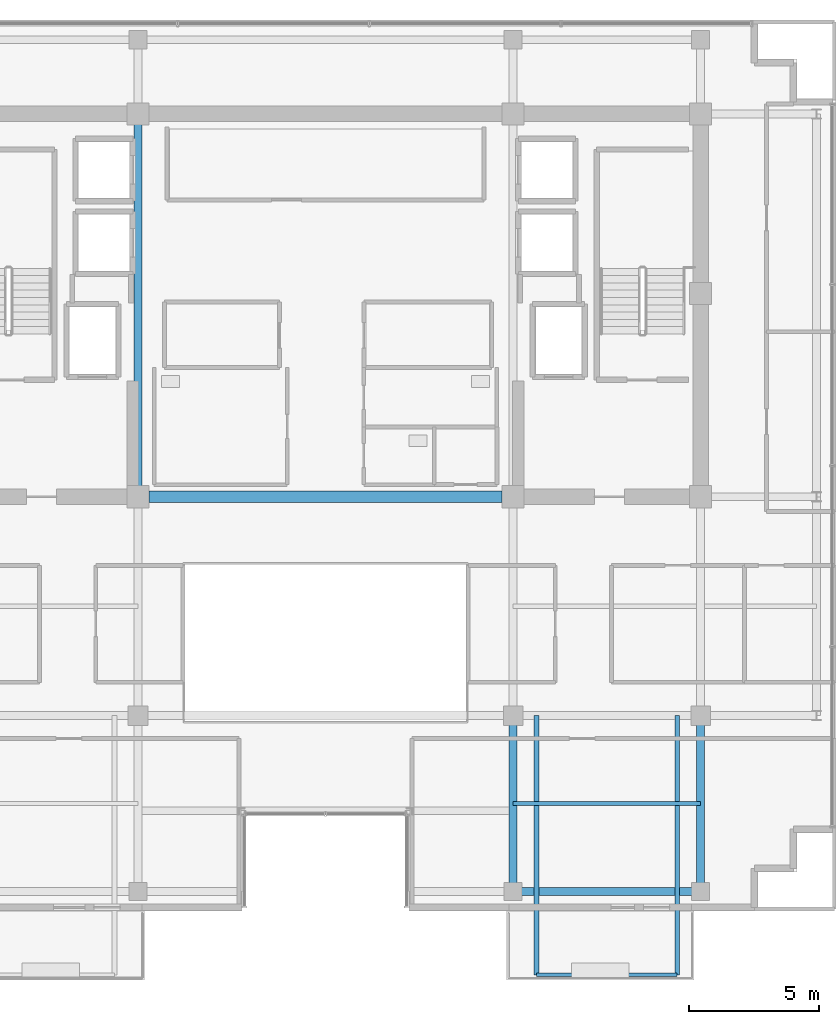
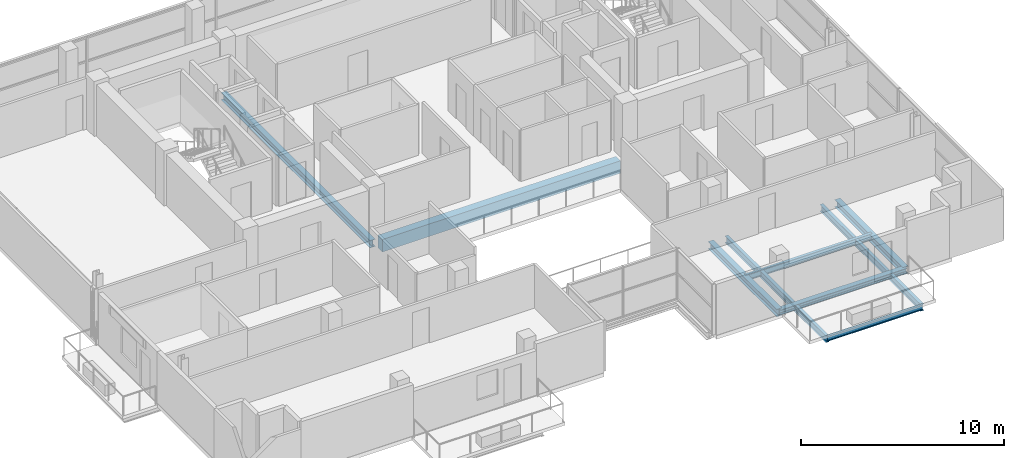
# One storey, part 7 of 22: 9 beams.
"""IFC4 building model written with IfcOpenShell, lengths in metres."""

from ifc_helpers import new_model, si_unit, direction, frame, origin, origin_2d, place, context, subcontext, project, spatial, rectangle, i_section, extrude, material, material_profile, profile_set, type_object, element, save


model = new_model("IFC4")

# Units and contexts
model_context = context("Model", 3, precision=1e-05, world=origin(), true_north=direction((0.0, 1.0)))
body_context = subcontext(model_context, "Body", "Model", "MODEL_VIEW")
ifc_project = project(units=[si_unit("LENGTHUNIT", "METRE"), si_unit("AREAUNIT", "SQUARE_METRE"), si_unit("VOLUMEUNIT", "CUBIC_METRE"), si_unit("PLANEANGLEUNIT", "RADIAN"), si_unit("MASSUNIT", "GRAM", prefix="KILO")], contexts=[model_context])

# Site, building, storey
site_placement = place(None, origin())
site = spatial("IfcSite", under=ifc_project, at=site_placement, CompositionType="ELEMENT")
building_placement = place(site_placement, origin())
building = spatial("IfcBuilding", under=site, at=building_placement, Name="Zarnakvel Exchange Tower", CompositionType="ELEMENT")
storey_placement = place(building_placement, frame((0.0, 0.0, 215.5)))
storey = spatial("IfcBuildingStorey", under=building, at=storey_placement, Name="L60", CompositionType="ELEMENT", Elevation=215.5)

# Beams
ifc_material_1 = material(Name="Steel S355", Category="steel")
ifc_material_profile_1 = material_profile(ifc_material_1, i_section(OverallWidth=0.179931640625, OverallDepth=0.39990234375, WebThickness=0.008544921875, FlangeThickness=0.013427734375, FilletRadius=0.02099609375, at=origin_2d()))
ifc_profile_set_1 = profile_set([ifc_material_profile_1], Name="Steel S355")
beam_type_1 = type_object("IfcBeamType", Name="B-06", PredefinedType="JOIST", material=ifc_profile_set_1)
for number, where, z_axis, x_axis, name in (
    (1, (8.10009765625, -9.60009765625, -0.425048828125), (0.0, -1.0, 0.0), (1.0, 0.0, 0.0), "L60 Continuous Back-Spanned Balcony Beam W"),
    (2, (13.5, -9.60009765625, -0.425048828125), (0.0, -1.0, 0.0), (1.0, 0.0, 0.0), "L60 Continuous Back-Spanned Balcony Beam E"),
):
    element("IfcBeam", number, at=place(storey_placement, frame(where, z_axis=z_axis, x_axis=x_axis)), inside=storey, type_object=beam_type_1, Name=name, PredefinedType="JOIST", context=body_context, shape_type="SweptSolid", body=[
        extrude(i_section(OverallWidth=0.179931640625, OverallDepth=0.39990234375, WebThickness=0.008544921875, FlangeThickness=0.013427734375, FilletRadius=0.02099609375, at=origin_2d()), origin(), (0.0, 0.0, 1.0), 9.949951171875),
    ])
ifc_material_profile_2 = material_profile(ifc_material_1, i_section(OverallWidth=0.169921875, OverallDepth=0.360107421875, WebThickness=0.008056640625, FlangeThickness=0.0126953125, FilletRadius=0.01806640625, at=origin_2d()))
ifc_profile_set_2 = profile_set([ifc_material_profile_2], Name="Steel S355")
beam_type_2 = type_object("IfcBeamType", Name="B-07", PredefinedType="JOIST", material=ifc_profile_set_2)
beam_1_placement = place(storey_placement, frame((7.199951171875, -12.97509765625, -0.405029296875), z_axis=(1.0, 0.0, 0.0), x_axis=(0.0, 1.0, 0.0)))
element("IfcBeam", 3, at=beam_1_placement, inside=storey, type_object=beam_type_2, Name="L60 Composite Floor Secondary Joist", PredefinedType="JOIST", context=body_context, shape_type="SweptSolid", body=[
    extrude(i_section(OverallWidth=0.169921875, OverallDepth=0.360107421875, WebThickness=0.008056640625, FlangeThickness=0.0126953125, FilletRadius=0.01806640625, at=origin_2d()), origin(), (0.0, 0.0, 1.0), 7.199951171875),
])
ifc_material_profile_3 = material_profile(ifc_material_1, i_section(OverallWidth=0.14990234375, OverallDepth=0.300048828125, WebThickness=0.007080078125, FlangeThickness=0.0107421875, FilletRadius=0.014892578125, at=origin_2d()))
ifc_profile_set_3 = profile_set([ifc_material_profile_3], Name="Steel S355")
beam_type_3 = type_object("IfcBeamType", Name="B-08", PredefinedType="JOIST", material=ifc_profile_set_3)
beam_2_placement = place(storey_placement, frame((8.10009765625, -19.550048828125, -0.375), z_axis=(1.0, 0.0, 0.0), x_axis=(0.0, 1.0, 0.0)))
element("IfcBeam", 4, at=beam_2_placement, inside=storey, type_object=beam_type_3, Name="L60 Balcony Edge Beam", PredefinedType="JOIST", context=body_context, shape_type="SweptSolid", body=[
    extrude(i_section(OverallWidth=0.14990234375, OverallDepth=0.300048828125, WebThickness=0.007080078125, FlangeThickness=0.0107421875, FilletRadius=0.014892578125, at=origin_2d()), origin(), (0.0, 0.0, 1.0), 5.39990234375),
])
ifc_material_2 = material(Name="Concrete C50/60", Category="concrete")
ifc_material_profile_4 = material_profile(ifc_material_2, rectangle(XDim=0.449951171875, YDim=0.75, at=origin_2d()))
ifc_profile_set_4 = profile_set([ifc_material_profile_4], Name="Concrete C50/60")
beam_type_4 = type_object("IfcBeamType", Name="CB-03", PredefinedType="LINTEL", material=ifc_profile_set_4)
beam_3_placement = place(storey_placement, frame((-6.77490234375, -1.199951171875, -0.60009765625), z_axis=(1.0, 0.0, 0.0), x_axis=(0.0, 1.0, 0.0)))
element("IfcBeam", 5, at=beam_3_placement, inside=storey, type_object=beam_type_4, Name="L60 Rear Core South Coupling Beam (CB-03)", PredefinedType="LINTEL", context=body_context, shape_type="SweptSolid", body=[
    extrude(rectangle(XDim=0.449951171875, YDim=0.75, at=origin_2d()), origin(), (0.0, 0.0, 1.0), 13.5498046875),
])
ifc_material_profile_5 = material_profile(ifc_material_1, i_section(OverallWidth=0.300048828125, OverallDepth=0.449951171875, WebThickness=0.013916015625, FlangeThickness=0.02587890625, FilletRadius=0.027099609375, at=origin_2d()))
ifc_profile_set_5 = profile_set([ifc_material_profile_5], Name="Steel S355")
beam_type_5 = type_object("IfcBeamType", Name="G-07", PredefinedType="BEAM", material=ifc_profile_set_5)
beam_4_placement = place(storey_placement, frame((-7.199951171875, -1.199951171875, -0.449951171875), z_axis=(0.0, 1.0, 0.0), x_axis=(-1.0, 0.0, 0.0)))
element("IfcBeam", 6, at=beam_4_placement, inside=storey, type_object=beam_type_5, Name="L60 Tower N-S Frame Beam", PredefinedType="BEAM", context=body_context, shape_type="SweptSolid", body=[
    extrude(i_section(OverallWidth=0.300048828125, OverallDepth=0.449951171875, WebThickness=0.013916015625, FlangeThickness=0.02587890625, FilletRadius=0.027099609375, at=origin_2d()), origin(), (0.0, 0.0, 1.0), 14.699951171875),
])
for number, where, z_axis, x_axis, name in (
    (7, (7.199951171875, -16.35009765625, -0.449951171875), (0.0, 1.0, 0.0), (-1.0, 0.0, 0.0), "L60 Tower N-S Frame Beam"),
    (8, (14.39990234375, -16.35009765625, -0.449951171875), (0.0, 1.0, 0.0), (-1.0, 0.0, 0.0), "L60 Tower N-S Frame Beam"),
):
    element("IfcBeam", number, at=place(storey_placement, frame(where, z_axis=z_axis, x_axis=x_axis)), inside=storey, type_object=beam_type_5, Name=name, PredefinedType="BEAM", context=body_context, shape_type="SweptSolid", body=[
        extrude(i_section(OverallWidth=0.300048828125, OverallDepth=0.449951171875, WebThickness=0.013916015625, FlangeThickness=0.02587890625, FilletRadius=0.027099609375, at=origin_2d()), origin(), (0.0, 0.0, 1.0), 6.75),
    ])
ifc_material_profile_6 = material_profile(ifc_material_1, i_section(OverallWidth=0.300048828125, OverallDepth=0.300048828125, WebThickness=0.010986328125, FlangeThickness=0.01904296875, FilletRadius=0.027099609375, at=origin_2d()))
ifc_profile_set_6 = profile_set([ifc_material_profile_6], Name="Steel S355")
beam_type_6 = type_object("IfcBeamType", Name="SP-03", PredefinedType="SPANDREL", material=ifc_profile_set_6)
beam_5_placement = place(storey_placement, frame((7.199951171875, -16.35009765625, -0.375), z_axis=(1.0, 0.0, 0.0), x_axis=(0.0, 1.0, 0.0)))
element("IfcBeam", 9, at=beam_5_placement, inside=storey, type_object=beam_type_6, Name="L60 Tower E-W Frame Beam", PredefinedType="SPANDREL", context=body_context, shape_type="SweptSolid", body=[
    extrude(i_section(OverallWidth=0.300048828125, OverallDepth=0.300048828125, WebThickness=0.010986328125, FlangeThickness=0.01904296875, FilletRadius=0.027099609375, at=origin_2d()), origin(), (0.0, 0.0, 1.0), 7.199951171875),
])

save(model, "model.ifc")
